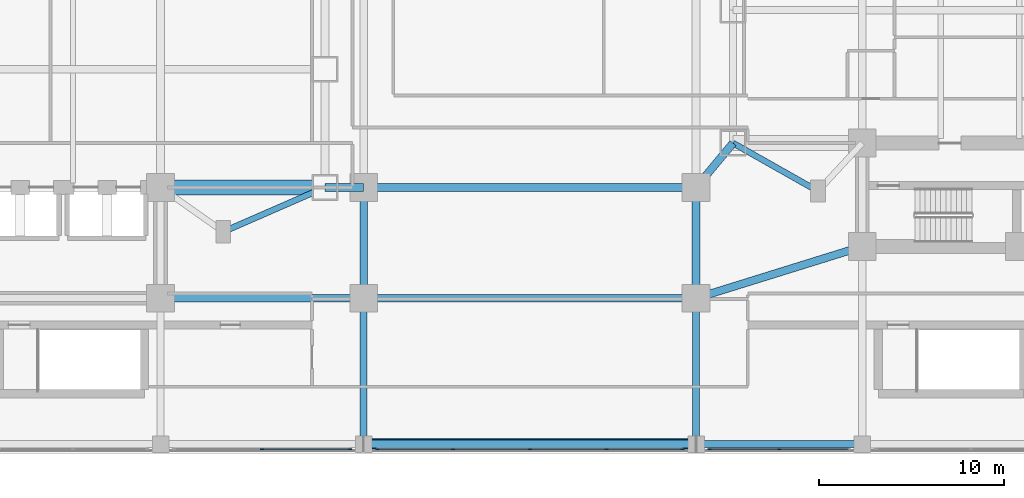
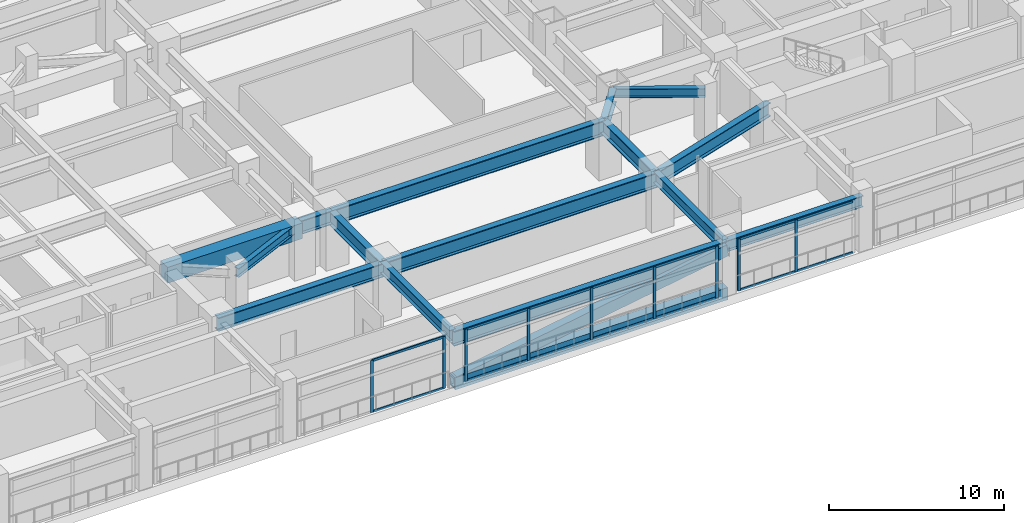
# One storey, part 4 of 27: 25 members, 15 beams, 3 elements without a shape of their own.
"""IFC4 building model written with IfcOpenShell, lengths in metres."""

from ifc_helpers import new_model, si_unit, direction, frame, origin, origin_2d, place, context, subcontext, project, spatial, rectangle, hollow_rectangle, i_section, extrude, material, material_profile, profile_set, type_object, element, aggregate, save


model = new_model("IFC4")

# Units and contexts
model_context = context("Model", 3, precision=1e-05, world=origin(), true_north=direction((0.0, 1.0)))
body_context = subcontext(model_context, "Body", "Model", "MODEL_VIEW")
ifc_project = project(units=[si_unit("LENGTHUNIT", "METRE"), si_unit("AREAUNIT", "SQUARE_METRE"), si_unit("VOLUMEUNIT", "CUBIC_METRE"), si_unit("PLANEANGLEUNIT", "RADIAN"), si_unit("MASSUNIT", "GRAM", prefix="KILO")], contexts=[model_context])

# Site, building, storey
site_placement = place(None, origin())
site = spatial("IfcSite", under=ifc_project, at=site_placement, CompositionType="ELEMENT")
building_placement = place(site_placement, origin())
building = spatial("IfcBuilding", under=site, at=building_placement, Name="Mirazonda Arch Towers", CompositionType="ELEMENT")
storey_placement = place(building_placement, frame((0.0, 0.0, 18.10009765625)))
storey = spatial("IfcBuildingStorey", under=building, at=storey_placement, Name="L04", CompositionType="ELEMENT", Elevation=18.10009765625)

# Beams
ifc_material_1 = material(Name="Steel ASTM A992 Grade 50", Category="steel")
ifc_material_profile_1 = material_profile(ifc_material_1, i_section(OverallWidth=0.381103515625, OverallDepth=0.77294921875, WebThickness=0.0166015625, FlangeThickness=0.027099609375, at=origin_2d()), Name="W30X173")
ifc_profile_set_1 = profile_set([ifc_material_profile_1], Name="Steel ASTM A992 Grade 50")
beam_type_1 = type_object("IfcBeamType", Name="BM-EXT-W30X173", PredefinedType="USERDEFINED", material=ifc_profile_set_1)
beam_1_placement = place(storey_placement, frame((59.0, 4.5, 3.263427734375), z_axis=(1.0, 0.0, 0.0), x_axis=(0.0, 1.0, 0.0)))
element("IfcBeam", 1, at=beam_1_placement, inside=storey, type_object=beam_type_1, Name="L04 Floor Beam BM-POD-L04-PS-4", ObjectType="GIRDER", PredefinedType="USERDEFINED", context=body_context, shape_type="SweptSolid", body=[
    extrude(i_section(OverallWidth=0.381103515625, OverallDepth=0.77294921875, WebThickness=0.0166015625, FlangeThickness=0.027099609375, at=origin_2d()), origin(), (0.0, 0.0, 1.0), 9.0),
])
ifc_material_profile_2 = material_profile(ifc_material_1, i_section(OverallWidth=0.423095703125, OverallDepth=0.947998046875, WebThickness=0.02392578125, FlangeThickness=0.042724609375, at=origin_2d()), Name="W36X302")
ifc_profile_set_2 = profile_set([ifc_material_profile_2], Name="Steel ASTM A992 Grade 50")
beam_type_2 = type_object("IfcBeamType", Name="BM-EXT-W36X302", PredefinedType="USERDEFINED", material=ifc_profile_set_2)
for number, where, z_axis, x_axis, name in (
    (2, (41.0, 12.39990234375, 3.17578125), (0.0, 1.0, 0.0), (-1.0, 0.0, 0.0), "L04 Floor Beam BM-POD-L04-PA-WL1"),
    (3, (59.0, 12.39990234375, 3.17578125), (0.0, 1.0, 0.0), (-1.0, 0.0, 0.0), "L04 Floor Beam BM-POD-L04-PA-EL1"),
):
    element("IfcBeam", number, at=place(storey_placement, frame(where, z_axis=z_axis, x_axis=x_axis)), inside=storey, type_object=beam_type_2, Name=name, ObjectType="GIRDER", PredefinedType="USERDEFINED", context=body_context, shape_type="SweptSolid", body=[
        extrude(i_section(OverallWidth=0.423095703125, OverallDepth=0.947998046875, WebThickness=0.02392578125, FlangeThickness=0.042724609375, at=origin_2d()), origin(), (0.0, 0.0, 1.0), 6.0),
    ])
ifc_material_profile_3 = material_profile(ifc_material_1, i_section(OverallWidth=0.419921875, OverallDepth=1.0400390625, WebThickness=0.031005859375, FlangeThickness=0.055908203125, at=origin_2d()), Name="W40X397")
ifc_profile_set_3 = profile_set([ifc_material_profile_3], Name="Steel ASTM A992 Grade 50")
beam_type_3 = type_object("IfcBeamType", Name="BM-EXT-W40X397", PredefinedType="USERDEFINED", material=ifc_profile_set_3)
beam_2_placement = place(storey_placement, frame((41.0, 4.5, 3.1298828125), z_axis=(1.0, 0.0, 0.0), x_axis=(0.0, 1.0, 0.0)))
element("IfcBeam", 4, at=beam_2_placement, inside=storey, type_object=beam_type_3, Name="L04 Floor Beam BM-POD-L04-PARCH-1", ObjectType="GIRDER", PredefinedType="USERDEFINED", context=body_context, shape_type="SweptSolid", body=[
    extrude(i_section(OverallWidth=0.419921875, OverallDepth=1.0400390625, WebThickness=0.031005859375, FlangeThickness=0.055908203125, at=origin_2d()), origin(), (0.0, 0.0, 1.0), 18.0),
])
ifc_material_profile_4 = material_profile(ifc_material_1, i_section(OverallWidth=0.324951171875, OverallDepth=0.615966796875, WebThickness=0.013916015625, FlangeThickness=0.021484375, at=origin_2d()), Name="W24X117")
ifc_profile_set_4 = profile_set([ifc_material_profile_4], Name="Steel ASTM A992 Grade 50")
beam_type_4 = type_object("IfcBeamType", Name="BM-INT-W24X117", PredefinedType="BEAM", material=ifc_profile_set_4)
beam_3_placement = place(storey_placement, frame((33.39990234375, 16.0, 3.341796875), z_axis=(0.916545343703, 0.399930785183, 0.0), x_axis=(-0.399930785183, 0.916545343703, 0.0)))
element("IfcBeam", 5, at=beam_3_placement, inside=storey, type_object=beam_type_4, Name="L04 Floor Beam BM-T1-L04-PL-SE2", PredefinedType="BEAM", context=body_context, shape_type="SweptSolid", body=[
    extrude(i_section(OverallWidth=0.324951171875, OverallDepth=0.615966796875, WebThickness=0.013916015625, FlangeThickness=0.021484375, at=origin_2d()), origin(), (0.0, 0.0, 1.0), 6.000732421875),
])
beam_4_placement = place(storey_placement, frame((65.60009765625, 18.199951171875, 3.341796875), z_axis=(-0.870559396632, 0.492063346467, 0.0), x_axis=(-0.492063346467, -0.870559396632, 0.0)))
element("IfcBeam", 6, at=beam_4_placement, inside=storey, type_object=beam_type_4, Name="L04 Floor Beam BM-T2-L04-PL-SW2", PredefinedType="BEAM", context=body_context, shape_type="SweptSolid", body=[
    extrude(i_section(OverallWidth=0.324951171875, OverallDepth=0.615966796875, WebThickness=0.013916015625, FlangeThickness=0.021484375, at=origin_2d()), origin(), (0.0, 0.0, 1.0), 5.2841796875),
])
ifc_material_profile_5 = material_profile(ifc_material_1, i_section(OverallWidth=0.381103515625, OverallDepth=0.77294921875, WebThickness=0.0166015625, FlangeThickness=0.027099609375, at=origin_2d()), Name="W30X173")
ifc_profile_set_5 = profile_set([ifc_material_profile_5], Name="Steel ASTM A992 Grade 50")
beam_type_5 = type_object("IfcBeamType", Name="BM-INT-W30X173", PredefinedType="USERDEFINED", material=ifc_profile_set_5)
for number, where, z_axis, x_axis, name in (
    (7, (41.0, 4.5, 3.263427734375), (0.0, 1.0, 0.0), (-1.0, 0.0, 0.0), "L04 Floor Beam BM-POD-L04-PCS-4"),
    (8, (59.0, 4.5, 3.263427734375), (0.0, 1.0, 0.0), (-1.0, 0.0, 0.0), "L04 Floor Beam BM-POD-L04-PCS-5"),
):
    element("IfcBeam", number, at=place(storey_placement, frame(where, z_axis=z_axis, x_axis=x_axis)), inside=storey, type_object=beam_type_5, Name=name, ObjectType="GIRDER", PredefinedType="USERDEFINED", context=body_context, shape_type="SweptSolid", body=[
        extrude(i_section(OverallWidth=0.381103515625, OverallDepth=0.77294921875, WebThickness=0.0166015625, FlangeThickness=0.027099609375, at=origin_2d()), origin(), (0.0, 0.0, 1.0), 7.89990234375),
    ])
ifc_material_profile_6 = material_profile(ifc_material_1, i_section(OverallWidth=0.423095703125, OverallDepth=0.947998046875, WebThickness=0.02392578125, FlangeThickness=0.042724609375, at=origin_2d()), Name="W36X302")
ifc_profile_set_6 = profile_set([ifc_material_profile_6], Name="Steel ASTM A992 Grade 50")
beam_type_6 = type_object("IfcBeamType", Name="BM-INT-W36X302", PredefinedType="USERDEFINED", material=ifc_profile_set_6)
beam_5_placement = place(storey_placement, frame((30.0, 12.39990234375, 3.17578125), z_axis=(1.0, 0.0, 0.0), x_axis=(0.0, 1.0, 0.0)))
element("IfcBeam", 9, at=beam_5_placement, inside=storey, type_object=beam_type_6, Name="L04 Floor Beam BM-POD-L04-PA-W1", ObjectType="GIRDER", PredefinedType="USERDEFINED", context=body_context, shape_type="SweptSolid", body=[
    extrude(i_section(OverallWidth=0.423095703125, OverallDepth=0.947998046875, WebThickness=0.02392578125, FlangeThickness=0.042724609375, at=origin_2d()), origin(), (0.0, 0.0, 1.0), 11.0),
])
beam_6_placement = place(storey_placement, frame((38.89990234375, 18.39990234375, 3.17578125), z_axis=(1.0, 0.0, 0.0), x_axis=(0.0, 1.0, 0.0)))
element("IfcBeam", 10, at=beam_6_placement, inside=storey, type_object=beam_type_6, Name="L04 Floor Beam BM-POD-L04-PA-W2", ObjectType="GIRDER", PredefinedType="USERDEFINED", context=body_context, shape_type="SweptSolid", body=[
    extrude(i_section(OverallWidth=0.423095703125, OverallDepth=0.947998046875, WebThickness=0.02392578125, FlangeThickness=0.042724609375, at=origin_2d()), origin(), (0.0, 0.0, 1.0), 2.10009765625),
])
beam_7_placement = place(storey_placement, frame((59.0, 12.39990234375, 3.17578125), z_axis=(0.954855306861, 0.29707127589, 0.0), x_axis=(-0.29707127589, 0.954855306861, 0.0)))
element("IfcBeam", 11, at=beam_7_placement, inside=storey, type_object=beam_type_6, Name="L04 Floor Beam BM-POD-L04-PA-E1", ObjectType="GIRDER", PredefinedType="USERDEFINED", context=body_context, shape_type="SweptSolid", body=[
    extrude(i_section(OverallWidth=0.423095703125, OverallDepth=0.947998046875, WebThickness=0.02392578125, FlangeThickness=0.042724609375, at=origin_2d()), origin(), (0.0, 0.0, 1.0), 9.425537109375),
])
beam_8_placement = place(storey_placement, frame((59.0, 18.39990234375, 3.17578125), z_axis=(0.640161340286, 0.76824049516, 0.0), x_axis=(-0.76824049516, 0.640161340286, 0.0)))
element("IfcBeam", 12, at=beam_8_placement, inside=storey, type_object=beam_type_6, Name="L04 Floor Beam BM-POD-L04-PA-E2", ObjectType="GIRDER", PredefinedType="USERDEFINED", context=body_context, shape_type="SweptSolid", body=[
    extrude(i_section(OverallWidth=0.423095703125, OverallDepth=0.947998046875, WebThickness=0.02392578125, FlangeThickness=0.042724609375, at=origin_2d()), origin(), (0.0, 0.0, 1.0), 3.124267578125),
])
ifc_material_profile_7 = material_profile(ifc_material_1, i_section(OverallWidth=0.419921875, OverallDepth=1.0400390625, WebThickness=0.031005859375, FlangeThickness=0.055908203125, at=origin_2d()), Name="W40X397")
ifc_profile_set_7 = profile_set([ifc_material_profile_7], Name="Steel ASTM A992 Grade 50")
beam_type_7 = type_object("IfcBeamType", Name="BM-INT-W40X397", PredefinedType="USERDEFINED", material=ifc_profile_set_7)
for number, where, z_axis, x_axis, name in (
    (13, (41.0, 12.39990234375, 3.1298828125), (1.0, 0.0, 0.0), (0.0, 1.0, 0.0), "L04 Floor Beam BM-POD-L04-PARCH-2"),
    (14, (41.0, 18.39990234375, 3.1298828125), (1.0, 0.0, 0.0), (0.0, 1.0, 0.0), "L04 Floor Beam BM-POD-L04-PARCH-3"),
):
    element("IfcBeam", number, at=place(storey_placement, frame(where, z_axis=z_axis, x_axis=x_axis)), inside=storey, type_object=beam_type_7, Name=name, ObjectType="GIRDER", PredefinedType="USERDEFINED", context=body_context, shape_type="SweptSolid", body=[
        extrude(i_section(OverallWidth=0.419921875, OverallDepth=1.0400390625, WebThickness=0.031005859375, FlangeThickness=0.055908203125, at=origin_2d()), origin(), (0.0, 0.0, 1.0), 18.0),
    ])
ifc_material_2 = material(Name="Concrete C60/75", Category="concrete")
ifc_material_profile_8 = material_profile(ifc_material_2, rectangle(XDim=0.800048828125, YDim=1.10009765625, at=origin_2d()), Name="RCCB800x1100")
ifc_profile_set_8 = profile_set([ifc_material_profile_8], Name="Concrete C60/75")
beam_type_8 = type_object("IfcBeamType", Name="CB-INT-RCCB800x1100", PredefinedType="SPANDREL", material=ifc_profile_set_8)
beam_9_placement = place(storey_placement, frame((30.0, 18.39990234375, 3.099853515625), z_axis=(1.0, 0.0, 0.0), x_axis=(0.0, 1.0, 0.0)))
element("IfcBeam", 15, at=beam_9_placement, inside=storey, type_object=beam_type_8, Name="L04 Floor Beam CB-T1-L04-SE", PredefinedType="SPANDREL", context=body_context, shape_type="SweptSolid", body=[
    extrude(rectangle(XDim=0.800048828125, YDim=1.10009765625, at=origin_2d()), origin(), (0.0, 0.0, 1.0), 8.89990234375),
])

# Members
ifc_material_3 = material(Name="Steel ASTM A572 Grade 50", Category="steel")
ifc_material_profile_9 = material_profile(ifc_material_3, hollow_rectangle(XDim=0.60009765625, YDim=0.85009765625, WallThickness=0.048095703125, at=origin_2d()), Name="BELTCHORD850x600x48")
ifc_profile_set_9 = profile_set([ifc_material_profile_9], Name="Steel ASTM A572 Grade 50")
member_type_1 = type_object("IfcMemberType", Name="MBR-INT-BELTCHORD850x600x48", PredefinedType="CHORD", material=ifc_profile_set_9)
member_1_placement = place(storey_placement, frame((41.0, 4.5, 0.0498046875), z_axis=(1.0, 0.0, 0.0), x_axis=(0.0, 1.0, 0.0)))
element("IfcMember", 16, at=member_1_placement, inside=storey, type_object=member_type_1, Name="L04 Transfer Truss Bottom Chord 01", PredefinedType="CHORD", context=body_context, shape_type="SweptSolid", body=[
    extrude(hollow_rectangle(XDim=0.60009765625, YDim=0.85009765625, WallThickness=0.048095703125, at=origin_2d()), origin(), (0.0, 0.0, 1.0), 18.0),
])
ifc_material_profile_10 = material_profile(ifc_material_3, hollow_rectangle(XDim=0.550048828125, YDim=0.800048828125, WallThickness=0.044921875, at=origin_2d()), Name="OUTRIGGER800x550x45")
ifc_profile_set_10 = profile_set([ifc_material_profile_10], Name="Steel ASTM A572 Grade 50")
member_type_2 = type_object("IfcMemberType", Name="MBR-INT-OUTRIGGER800x550x45", PredefinedType="BRACE", material=ifc_profile_set_10)
member_2_placement = place(storey_placement, frame((41.0, 4.5, 0.0498046875), z_axis=(0.986393923832, 0.0, 0.164398987305), x_axis=(0.0, 1.0, 0.0)))
element("IfcMember", 17, at=member_2_placement, inside=storey, type_object=member_type_2, Name="L04 Transfer Truss Diagonal 01A", PredefinedType="BRACE", context=body_context, shape_type="SweptSolid", body=[
    extrude(hollow_rectangle(XDim=0.550048828125, YDim=0.800048828125, WallThickness=0.044921875, at=origin_2d()), origin(), (0.0, 0.0, 1.0), 18.248291015625),
])

# Curtain wall, members
ifc_material_4 = material(Name="Anodised Aluminium and Low-E Glass", Category="aluminium")
curtain_wall_type = type_object("IfcCurtainWallType", Name="CW-POD-STORE", PredefinedType="NOTDEFINED", material=ifc_material_4)
curtain_wall_1_placement = place(storey_placement, origin())
curtain_wall_1 = element("IfcCurtainWall", 18, at=curtain_wall_1_placement, inside=storey, type_object=curtain_wall_type, Name="L04 Curtain Wall CW-L04-S1-S3", PredefinedType="NOTDEFINED")
ifc_material_5 = material(Name="Anodised Aluminium Alloy", Category="aluminium")
ifc_material_profile_11 = material_profile(ifc_material_5, rectangle(XDim=0.080078125, YDim=0.179931640625, at=origin_2d()), Name="ALU-MULL-80x180")
ifc_profile_set_11 = profile_set([ifc_material_profile_11], Name="Anodised Aluminium Alloy")
member_type_3 = type_object("IfcMemberType", Name="MULL-CW-POD-STORE", PredefinedType="MULLION", material=ifc_profile_set_11)
member_3_placement = place(storey_placement, frame((63.5, 4.219970703125, 0.0), z_axis=(0.0, 0.0, 1.0), x_axis=(0.0, -1.0, 0.0)))
member_3 = element("IfcMember", 19, at=member_3_placement, type_object=member_type_3, Name="CW-102 mullion 2", PredefinedType="MULLION", context=body_context, shape_type="SweptSolid", body=[
    extrude(rectangle(XDim=0.080078125, YDim=0.179931640625, at=origin_2d()), origin(), (0.0, 0.0, 1.0), 3.6298828125),
])
member_4_placement = place(storey_placement, frame((59.72998046875, 4.219970703125, 0.0), z_axis=(0.0, 0.0, 1.0), x_axis=(0.0, -1.0, 0.0)))
member_4 = element("IfcMember", 20, at=member_4_placement, type_object=member_type_3, Name="CW-102 mullion 3", PredefinedType="MULLION", context=body_context, shape_type="SweptSolid", body=[
    extrude(rectangle(XDim=0.080078125, YDim=0.179931640625, at=origin_2d()), origin(), (0.0, 0.0, 1.0), 3.6298828125),
])

curtain_wall_2_placement = place(storey_placement, origin())
curtain_wall_2 = element("IfcCurtainWall", 21, at=curtain_wall_2_placement, inside=storey, type_object=curtain_wall_type, Name="L04 Curtain Wall CW-L04-S1-S4", PredefinedType="NOTDEFINED")
member_5_placement = place(storey_placement, frame((58.27001953125, 4.219970703125, 0.0), z_axis=(0.0, 0.0, 1.0), x_axis=(0.0, -1.0, 0.0)))
member_5 = element("IfcMember", 22, at=member_5_placement, type_object=member_type_3, Name="CW-102 mullion 1", PredefinedType="MULLION", context=body_context, shape_type="SweptSolid", body=[
    extrude(rectangle(XDim=0.080078125, YDim=0.179931640625, at=origin_2d()), origin(), (0.0, 0.0, 1.0), 3.6298828125),
])
member_6_placement = place(storey_placement, frame((54.155029296875, 4.219970703125, 0.0), z_axis=(0.0, 0.0, 1.0), x_axis=(0.0, -1.0, 0.0)))
member_6 = element("IfcMember", 23, at=member_6_placement, type_object=member_type_3, Name="CW-102 mullion 2", PredefinedType="MULLION", context=body_context, shape_type="SweptSolid", body=[
    extrude(rectangle(XDim=0.080078125, YDim=0.179931640625, at=origin_2d()), origin(), (0.0, 0.0, 1.0), 3.6298828125),
])
member_7_placement = place(storey_placement, frame((50.0, 4.219970703125, 0.0), z_axis=(0.0, 0.0, 1.0), x_axis=(0.0, -1.0, 0.0)))
member_7 = element("IfcMember", 24, at=member_7_placement, type_object=member_type_3, Name="CW-102 mullion 3", PredefinedType="MULLION", context=body_context, shape_type="SweptSolid", body=[
    extrude(rectangle(XDim=0.080078125, YDim=0.179931640625, at=origin_2d()), origin(), (0.0, 0.0, 1.0), 3.6298828125),
])
member_8_placement = place(storey_placement, frame((45.844970703125, 4.219970703125, 0.0), z_axis=(0.0, 0.0, 1.0), x_axis=(0.0, -1.0, 0.0)))
member_8 = element("IfcMember", 25, at=member_8_placement, type_object=member_type_3, Name="CW-102 mullion 4", PredefinedType="MULLION", context=body_context, shape_type="SweptSolid", body=[
    extrude(rectangle(XDim=0.080078125, YDim=0.179931640625, at=origin_2d()), origin(), (0.0, 0.0, 1.0), 3.6298828125),
])
member_9_placement = place(storey_placement, frame((41.72998046875, 4.219970703125, 0.0), z_axis=(0.0, 0.0, 1.0), x_axis=(0.0, -1.0, 0.0)))
member_9 = element("IfcMember", 26, at=member_9_placement, type_object=member_type_3, Name="CW-102 mullion 5", PredefinedType="MULLION", context=body_context, shape_type="SweptSolid", body=[
    extrude(rectangle(XDim=0.080078125, YDim=0.179931640625, at=origin_2d()), origin(), (0.0, 0.0, 1.0), 3.6298828125),
])

curtain_wall_3_placement = place(storey_placement, origin())
curtain_wall_3 = element("IfcCurtainWall", 27, at=curtain_wall_3_placement, inside=storey, type_object=curtain_wall_type, Name="L04 Curtain Wall CW-L04-S1-S5", PredefinedType="NOTDEFINED")
member_10_placement = place(storey_placement, frame((40.27001953125, 4.219970703125, 0.0), z_axis=(0.0, 0.0, 1.0), x_axis=(0.0, -1.0, 0.0)))
member_10 = element("IfcMember", 28, at=member_10_placement, type_object=member_type_3, Name="CW-102 mullion 1", PredefinedType="MULLION", context=body_context, shape_type="SweptSolid", body=[
    extrude(rectangle(XDim=0.080078125, YDim=0.179931640625, at=origin_2d()), origin(), (0.0, 0.0, 1.0), 3.6298828125),
])
member_11_placement = place(storey_placement, frame((35.5, 4.219970703125, 0.0), z_axis=(0.0, 0.0, 1.0), x_axis=(0.0, -1.0, 0.0)))
member_11 = element("IfcMember", 29, at=member_11_placement, type_object=member_type_3, Name="CW-102 mullion 2", PredefinedType="MULLION", context=body_context, shape_type="SweptSolid", body=[
    extrude(rectangle(XDim=0.080078125, YDim=0.179931640625, at=origin_2d()), origin(), (0.0, 0.0, 1.0), 3.6298828125),
])

# Member
ifc_material_profile_12 = material_profile(ifc_material_5, rectangle(XDim=0.080078125, YDim=0.159912109375, at=origin_2d()), Name="ALU-TRAN-80x160")
ifc_profile_set_12 = profile_set([ifc_material_profile_12], Name="Anodised Aluminium Alloy")
member_type_4 = type_object("IfcMemberType", Name="TRAN-CW-POD-STORE", PredefinedType="USERDEFINED", material=ifc_profile_set_12)
member_12_placement = place(storey_placement, frame((67.22998046875, 4.219970703125, 0.039794921875), z_axis=(-1.0, 0.0, 0.0), x_axis=(0.0, -1.0, 0.0)))
member_12 = element("IfcMember", 30, at=member_12_placement, type_object=member_type_4, Name="CW-102 transom 1.1", ObjectType="TRANSOM", PredefinedType="USERDEFINED", context=body_context, shape_type="SweptSolid", body=[
    extrude(rectangle(XDim=0.080078125, YDim=0.159912109375, at=origin_2d()), origin(), (0.0, 0.0, 1.0), 3.68994140625),
])

member_13_placement = place(storey_placement, frame((67.22998046875, 4.219970703125, 3.58984375), z_axis=(-1.0, 0.0, 0.0), x_axis=(0.0, -1.0, 0.0)))
member_13 = element("IfcMember", 31, at=member_13_placement, type_object=member_type_4, Name="CW-102 transom 1.2", ObjectType="TRANSOM", PredefinedType="USERDEFINED", context=body_context, shape_type="SweptSolid", body=[
    extrude(rectangle(XDim=0.080078125, YDim=0.159912109375, at=origin_2d()), origin(), (0.0, 0.0, 1.0), 3.68994140625),
])

member_14_placement = place(storey_placement, frame((63.4599609375, 4.219970703125, 0.039794921875), z_axis=(-1.0, 0.0, 0.0), x_axis=(0.0, -1.0, 0.0)))
member_14 = element("IfcMember", 32, at=member_14_placement, type_object=member_type_4, Name="CW-102 transom 2.1", ObjectType="TRANSOM", PredefinedType="USERDEFINED", context=body_context, shape_type="SweptSolid", body=[
    extrude(rectangle(XDim=0.080078125, YDim=0.159912109375, at=origin_2d()), origin(), (0.0, 0.0, 1.0), 3.68994140625),
])

member_15_placement = place(storey_placement, frame((63.4599609375, 4.219970703125, 3.58984375), z_axis=(-1.0, 0.0, 0.0), x_axis=(0.0, -1.0, 0.0)))
member_15 = element("IfcMember", 33, at=member_15_placement, type_object=member_type_4, Name="CW-102 transom 2.2", ObjectType="TRANSOM", PredefinedType="USERDEFINED", context=body_context, shape_type="SweptSolid", body=[
    extrude(rectangle(XDim=0.080078125, YDim=0.159912109375, at=origin_2d()), origin(), (0.0, 0.0, 1.0), 3.68994140625),
])

aggregate(curtain_wall_1, [member_3, member_4, member_12, member_13, member_14, member_15])

member_16_placement = place(storey_placement, frame((58.22998046875, 4.219970703125, 0.039794921875), z_axis=(-1.0, 0.0, 0.0), x_axis=(0.0, -1.0, 0.0)))
member_16 = element("IfcMember", 34, at=member_16_placement, type_object=member_type_4, Name="CW-102 transom 1.1", ObjectType="TRANSOM", PredefinedType="USERDEFINED", context=body_context, shape_type="SweptSolid", body=[
    extrude(rectangle(XDim=0.080078125, YDim=0.159912109375, at=origin_2d()), origin(), (0.0, 0.0, 1.0), 4.034912109375),
])

member_17_placement = place(storey_placement, frame((58.22998046875, 4.219970703125, 3.58984375), z_axis=(-1.0, 0.0, 0.0), x_axis=(0.0, -1.0, 0.0)))
member_17 = element("IfcMember", 35, at=member_17_placement, type_object=member_type_4, Name="CW-102 transom 1.2", ObjectType="TRANSOM", PredefinedType="USERDEFINED", context=body_context, shape_type="SweptSolid", body=[
    extrude(rectangle(XDim=0.080078125, YDim=0.159912109375, at=origin_2d()), origin(), (0.0, 0.0, 1.0), 4.034912109375),
])

member_18_placement = place(storey_placement, frame((54.114990234375, 4.219970703125, 0.039794921875), z_axis=(-1.0, 0.0, 0.0), x_axis=(0.0, -1.0, 0.0)))
member_18 = element("IfcMember", 36, at=member_18_placement, type_object=member_type_4, Name="CW-102 transom 2.1", ObjectType="TRANSOM", PredefinedType="USERDEFINED", context=body_context, shape_type="SweptSolid", body=[
    extrude(rectangle(XDim=0.080078125, YDim=0.159912109375, at=origin_2d()), origin(), (0.0, 0.0, 1.0), 4.074951171875),
])

member_19_placement = place(storey_placement, frame((54.114990234375, 4.219970703125, 3.58984375), z_axis=(-1.0, 0.0, 0.0), x_axis=(0.0, -1.0, 0.0)))
member_19 = element("IfcMember", 37, at=member_19_placement, type_object=member_type_4, Name="CW-102 transom 2.2", ObjectType="TRANSOM", PredefinedType="USERDEFINED", context=body_context, shape_type="SweptSolid", body=[
    extrude(rectangle(XDim=0.080078125, YDim=0.159912109375, at=origin_2d()), origin(), (0.0, 0.0, 1.0), 4.074951171875),
])

member_20_placement = place(storey_placement, frame((49.9599609375, 4.219970703125, 0.039794921875), z_axis=(-1.0, 0.0, 0.0), x_axis=(0.0, -1.0, 0.0)))
member_20 = element("IfcMember", 38, at=member_20_placement, type_object=member_type_4, Name="CW-102 transom 3.1", ObjectType="TRANSOM", PredefinedType="USERDEFINED", context=body_context, shape_type="SweptSolid", body=[
    extrude(rectangle(XDim=0.080078125, YDim=0.159912109375, at=origin_2d()), origin(), (0.0, 0.0, 1.0), 4.074951171875),
])

member_21_placement = place(storey_placement, frame((49.9599609375, 4.219970703125, 3.58984375), z_axis=(-1.0, 0.0, 0.0), x_axis=(0.0, -1.0, 0.0)))
member_21 = element("IfcMember", 39, at=member_21_placement, type_object=member_type_4, Name="CW-102 transom 3.2", ObjectType="TRANSOM", PredefinedType="USERDEFINED", context=body_context, shape_type="SweptSolid", body=[
    extrude(rectangle(XDim=0.080078125, YDim=0.159912109375, at=origin_2d()), origin(), (0.0, 0.0, 1.0), 4.074951171875),
])

member_22_placement = place(storey_placement, frame((45.804931640625, 4.219970703125, 0.039794921875), z_axis=(-1.0, 0.0, 0.0), x_axis=(0.0, -1.0, 0.0)))
member_22 = element("IfcMember", 40, at=member_22_placement, type_object=member_type_4, Name="CW-102 transom 4.1", ObjectType="TRANSOM", PredefinedType="USERDEFINED", context=body_context, shape_type="SweptSolid", body=[
    extrude(rectangle(XDim=0.080078125, YDim=0.159912109375, at=origin_2d()), origin(), (0.0, 0.0, 1.0), 4.034912109375),
])

member_23_placement = place(storey_placement, frame((45.804931640625, 4.219970703125, 3.58984375), z_axis=(-1.0, 0.0, 0.0), x_axis=(0.0, -1.0, 0.0)))
member_23 = element("IfcMember", 41, at=member_23_placement, type_object=member_type_4, Name="CW-102 transom 4.2", ObjectType="TRANSOM", PredefinedType="USERDEFINED", context=body_context, shape_type="SweptSolid", body=[
    extrude(rectangle(XDim=0.080078125, YDim=0.159912109375, at=origin_2d()), origin(), (0.0, 0.0, 1.0), 4.034912109375),
])

aggregate(curtain_wall_2, [member_5, member_6, member_7, member_8, member_9, member_16, member_17, member_18, member_19, member_20, member_21, member_22, member_23])

member_24_placement = place(storey_placement, frame((40.22998046875, 4.219970703125, 0.039794921875), z_axis=(-1.0, 0.0, 0.0), x_axis=(0.0, -1.0, 0.0)))
member_24 = element("IfcMember", 42, at=member_24_placement, type_object=member_type_4, Name="CW-102 transom 1.1", ObjectType="TRANSOM", PredefinedType="USERDEFINED", context=body_context, shape_type="SweptSolid", body=[
    extrude(rectangle(XDim=0.080078125, YDim=0.159912109375, at=origin_2d()), origin(), (0.0, 0.0, 1.0), 4.68994140625),
])

member_25_placement = place(storey_placement, frame((40.22998046875, 4.219970703125, 3.58984375), z_axis=(-1.0, 0.0, 0.0), x_axis=(0.0, -1.0, 0.0)))
member_25 = element("IfcMember", 43, at=member_25_placement, type_object=member_type_4, Name="CW-102 transom 1.2", ObjectType="TRANSOM", PredefinedType="USERDEFINED", context=body_context, shape_type="SweptSolid", body=[
    extrude(rectangle(XDim=0.080078125, YDim=0.159912109375, at=origin_2d()), origin(), (0.0, 0.0, 1.0), 4.68994140625),
])

aggregate(curtain_wall_3, [member_10, member_11, member_24, member_25])

save(model, "model.ifc")
